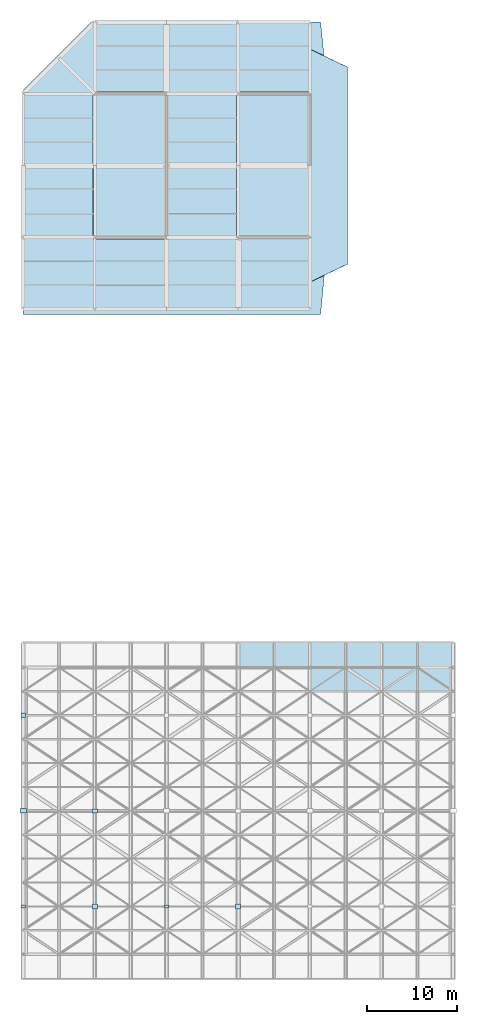
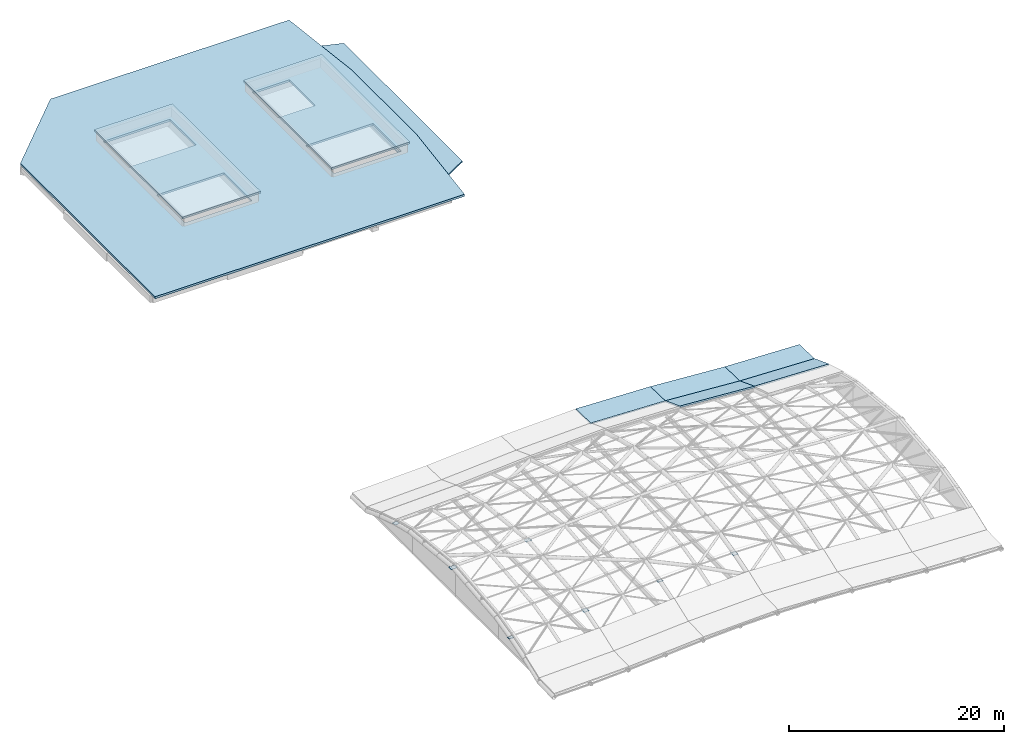
# One storey, part 19 of 20: 9 slabs, 7 plates.
"""IFC4 building model written with IfcOpenShell, lengths in metres."""

from ifc_helpers import new_model, si_unit, direction, frame, origin, origin_2d, place, context, subcontext, project, spatial, polyline, rectangle, outline, extrude, material, layer, layer_set, type_object, element, save


model = new_model("IFC4")

# Units and contexts
model_context = context("Model", 3, precision=1e-05, world=origin(), true_north=direction((0.0, 1.0)))
body_context = subcontext(model_context, "Body", "Model", "MODEL_VIEW")
ifc_project = project(units=[si_unit("LENGTHUNIT", "METRE"), si_unit("AREAUNIT", "SQUARE_METRE"), si_unit("VOLUMEUNIT", "CUBIC_METRE"), si_unit("PLANEANGLEUNIT", "RADIAN"), si_unit("MASSUNIT", "GRAM", prefix="KILO")], contexts=[model_context])

# Site, building, storey
site_placement = place(None, origin())
site = spatial("IfcSite", under=ifc_project, at=site_placement, CompositionType="ELEMENT")
building_placement = place(site_placement, origin())
building = spatial("IfcBuilding", under=site, at=building_placement, Name="Tenunan Teduh Sports Hall", CompositionType="ELEMENT")
storey_placement = place(building_placement, frame((0.0, 0.0, 23.39990234375)))
storey = spatial("IfcBuildingStorey", under=building, at=storey_placement, Name="RF", CompositionType="ELEMENT", Elevation=23.39990234375)

# Plates
ifc_material_1 = material(Name="Steel S355", Category="steel")
ifc_layer_1 = layer(ifc_material_1, 0.02001953125)
ifc_layer_set_1 = layer_set([ifc_layer_1], Name="Steel S355")
plate_type_1 = type_object("IfcPlateType", Name="PLT-GUS-1", PredefinedType="SHEET", material=ifc_layer_set_1)
plate_1_placement = place(storey_placement, frame((6.0, 40.666748046875, 1.442138671875), z_axis=(0.0, 0.0, 1.0), x_axis=(1.0, 0.0, 0.0)))
element("IfcPlate", 1, at=plate_1_placement, inside=storey, type_object=plate_type_1, Name="PLT-RF-024", PredefinedType="SHEET", context=body_context, shape_type="SweptSolid", body=[
    extrude(rectangle(XDim=0.47998046875, YDim=0.47998046875, at=origin_2d()), origin(), (0.0, 0.0, 1.0), 0.02001953125),
])
ifc_material_2 = material(Name="Steel S355", Category="steel")
ifc_layer_2 = layer(ifc_material_2, 0.02392578125)
ifc_layer_set_2 = layer_set([ifc_layer_2], Name="Steel S355")
plate_type_2 = type_object("IfcPlateType", Name="PLT-GUS-2", PredefinedType="SHEET", material=ifc_layer_set_2)
for number, where, z_axis, x_axis, name in (
    (2, (14.0, 19.333251953125, 1.713623046875), (0.0, 0.0, 1.0), (1.0, 0.0, 0.0), "PLT-RF-025"),
    (3, (30.0, 19.333251953125, 2.541748046875), (0.0, 0.0, 1.0), (1.0, 0.0, 0.0), "PLT-RF-031"),
):
    element("IfcPlate", number, at=place(storey_placement, frame(where, z_axis=z_axis, x_axis=x_axis)), inside=storey, type_object=plate_type_2, Name=name, PredefinedType="SHEET", context=body_context, shape_type="SweptSolid", body=[
        extrude(rectangle(XDim=0.56005859375, YDim=0.56005859375, at=origin_2d()), origin(), (0.0, 0.0, 1.0), 0.02392578125),
    ])
ifc_material_3 = material(Name="Steel S355", Category="steel")
ifc_layer_3 = layer(ifc_material_3, 0.02197265625)
ifc_layer_set_3 = layer_set([ifc_layer_3], Name="Steel S355")
plate_type_3 = type_object("IfcPlateType", Name="PLT-GUS-3", PredefinedType="SHEET", material=ifc_layer_set_3)
plate_2_placement = place(storey_placement, frame((14.0, 30.0, 3.183349609375), z_axis=(0.0, 0.0, 1.0), x_axis=(1.0, 0.0, 0.0)))
element("IfcPlate", 4, at=plate_2_placement, inside=storey, type_object=plate_type_3, Name="PLT-RF-026", PredefinedType="SHEET", context=body_context, shape_type="SweptSolid", body=[
    extrude(rectangle(XDim=0.639892578125, YDim=0.43994140625, at=origin_2d()), origin(), (0.0, 0.0, 1.0), 0.02197265625),
])
ifc_material_4 = material(Name="Steel S355", Category="steel")
ifc_layer_4 = layer(ifc_material_4, 0.01806640625)
ifc_layer_set_4 = layer_set([ifc_layer_4], Name="Steel S355")
plate_type_4 = type_object("IfcPlateType", Name="PLT-GUS-5", PredefinedType="SHEET", material=ifc_layer_set_4)
for number, where, z_axis, x_axis, name in (
    (5, (6.0, 19.333251953125, 1.443115234375), (0.0, 0.0, 1.0), (1.0, 0.0, 0.0), "PLT-RF-022"),
    (6, (22.0, 19.333251953125, 2.267333984375), (0.0, 0.0, 1.0), (1.0, 0.0, 0.0), "PLT-RF-028"),
):
    element("IfcPlate", number, at=place(storey_placement, frame(where, z_axis=z_axis, x_axis=x_axis)), inside=storey, type_object=plate_type_4, Name=name, PredefinedType="SHEET", context=body_context, shape_type="SweptSolid", body=[
        extrude(rectangle(XDim=0.52001953125, YDim=0.360107421875, at=origin_2d()), origin(), (0.0, 0.0, 1.0), 0.01806640625),
    ])
ifc_material_5 = material(Name="Steel S355", Category="steel")
ifc_layer_5 = layer(ifc_material_5, 0.028076171875)
ifc_layer_set_5 = layer_set([ifc_layer_5], Name="Steel S355")
plate_type_5 = type_object("IfcPlateType", Name="PLT-GUS-6", PredefinedType="SHEET", material=ifc_layer_set_5)
plate_3_placement = place(storey_placement, frame((6.0, 30.0, 2.90673828125), z_axis=(0.0, 0.0, 1.0), x_axis=(1.0, 0.0, 0.0)))
element("IfcPlate", 7, at=plate_3_placement, inside=storey, type_object=plate_type_5, Name="PLT-RF-023", PredefinedType="SHEET", context=body_context, shape_type="SweptSolid", body=[
    extrude(rectangle(XDim=0.699951171875, YDim=0.5, at=origin_2d()), origin(), (0.0, 0.0, 1.0), 0.028076171875),
])

# Slabs
ifc_material_6 = material(Name="Concrete C40/50", Category="concrete")
ifc_layer_6 = layer(ifc_material_6, 0.14501953125)
ifc_layer_set_6 = layer_set([ifc_layer_6], Name="Concrete C40/50")
slab_type_1 = type_object("IfcSlabType", Name="SLB-ROOF-145", PredefinedType="ROOF", material=ifc_layer_set_6)
slab_1_placement = place(storey_placement, frame((38.0, 89.0, -1.0498046875), z_axis=(-0.094787245934, 0.0, 0.99549755299), x_axis=(0.899540783476, 0.428357734014, 0.085650630898)))
element("IfcSlab", 8, at=slab_1_placement, inside=storey, type_object=slab_type_1, Name="Oval Running Track Timing Canopy", PredefinedType="ROOF", context=body_context, shape_type="SweptSolid", body=[
    extrude(outline(polyline([(0.0, 0.0), (4.668994723778441, 3.8163916471489756e-17), (14.092864872081469, 19.879403195969516), (11.137301084358125, 23.493840140691248), (0.0, 0.0)])), origin(), (0.0, 0.0, -1.0), 0.14501953125),
])
slab_2_placement = place(storey_placement, frame((30.0, 46.0, 1.172119140625), z_axis=(0.03458805788, 0.027830238076, 0.999014086037), x_axis=(0.999401189778, 4.23983e-07, -0.034601472071)))
element("IfcSlab", 9, at=slab_2_placement, inside=storey, type_object=slab_type_1, Name="Doubly-Curved Gridshell Roof Facet V2-4-10", PredefinedType="ROOF", context=body_context, shape_type="SweptSolid", body=[
    extrude(outline(polyline([(0.0, 0.0), (8.004797572621309, 0.0), (8.007493552174395, 2.8011304119879226), (0.00270442717810534, 2.801137202407449), (0.0, 0.0)])), origin(), (0.0, 0.0, -1.0), 0.14501953125),
])
slab_3_placement = place(storey_placement, frame((38.0, 46.0, 0.89501953125), z_axis=(0.068688260888, 0.028085222324, 0.997242770394), x_axis=(0.997636305652, 0.0, -0.068715366878)))
element("IfcSlab", 10, at=slab_3_placement, inside=storey, type_object=slab_type_1, Name="Doubly-Curved Gridshell Roof Facet V2-5-10", PredefinedType="ROOF", context=body_context, shape_type="SweptSolid", body=[
    extrude(outline(polyline([(0.0, 0.0), (8.018954357091294, 1.734723475976807e-18), (8.024373073766483, 2.8011537927037407), (0.005418716675189277, 2.8011537927037407), (0.0, 0.0)])), origin(), (0.0, 0.0, -1.0), 0.14501953125),
])
slab_4_placement = place(storey_placement, frame((46.0, 46.0, 0.343994140625), z_axis=(0.034207454097, 0.027787083186, 0.999028392035), x_axis=(0.999414301422, 0.0, -0.034220667914)))
element("IfcSlab", 11, at=slab_4_placement, inside=storey, type_object=slab_type_1, Name="Doubly-Curved Gridshell Roof Facet V2-6-10", PredefinedType="ROOF", context=body_context, shape_type="SweptSolid", body=[
    extrude(outline(polyline([(0.0, 0.0), (8.004688334572023, 8.673617379884035e-19), (8.007353469597529, 2.80113044415937), (0.002665135025504885, 2.80113044415937), (0.0, 0.0)])), origin(), (0.0, 0.0, -1.0), 0.14501953125),
])
ifc_material_7 = material(Name="Concrete C40/50", Category="concrete")
ifc_layer_7 = layer(ifc_material_7, 0.159912109375)
ifc_layer_set_7 = layer_set([ifc_layer_7], Name="Concrete C40/50")
slab_type_2 = type_object("IfcSlabType", Name="SLB-ROOF-160", PredefinedType="ROOF", material=ifc_layer_set_7)
slab_5_placement = place(storey_placement, frame((38.0, 43.3330078125, 1.918212890625), z_axis=(0.064296092415, 0.352830521692, 0.933475567684), x_axis=(0.997636305652, 0.0, -0.068715366878)))
element("IfcSlab", 12, at=slab_5_placement, inside=storey, type_object=slab_type_2, Name="Doubly-Curved Gridshell Roof Facet V2-5-9", PredefinedType="ROOF", context=body_context, shape_type="SweptSolid", body=[
    extrude(outline(polyline([(0.0, 0.0), (8.018954357091294, 0.0), (8.088223338985586, 2.8503030237224825), (0.06926898189429265, 2.8503030237224825), (0.0, 0.0)])), origin(), (0.0, 0.0, -1.0), 0.159912109375),
])
slab_6_placement = place(storey_placement, frame((46.0, 43.3330078125, 1.3671875), z_axis=(0.031913457416, 0.353344553152, 0.934948746186), x_axis=(0.9994178817, 5.037942e-06, -0.034115945145)))
element("IfcSlab", 13, at=slab_6_placement, inside=storey, type_object=slab_type_2, Name="Doubly-Curved Gridshell Roof Facet V2-6-9", PredefinedType="ROOF", context=body_context, shape_type="SweptSolid", body=[
    extrude(outline(polyline([(0.0, 0.0), (8.004663303261484, 4.163336342344337e-17), (8.039059215380421, 2.850850797840226), (0.03440424120710641, 2.8509370133441427), (0.0, 0.0)])), origin(), (0.0, 0.0, -1.0), 0.159912109375),
])
ifc_material_8 = material(Name="Concrete C40/50", Category="concrete")
ifc_layer_8 = layer(ifc_material_8, 0.22998046875)
ifc_layer_set_8 = layer_set([ifc_layer_8], Name="Concrete C40/50")
slab_type_3 = type_object("IfcSlabType", Name="SLB-ROOF-230", PredefinedType="ROOF", material=ifc_layer_set_8)
slab_7_placement = place(storey_placement, frame((0.0, 0.0, -0.22998046875)))
element("IfcSlab", 14, at=slab_7_placement, inside=storey, type_object=slab_type_3, Name="SL-RF-PAV", PredefinedType="ROOF", context=body_context, shape_type="SweptSolid", body=[
    extrude(outline(polyline([(6.0, 85.39990234375), (39.199951171875, 85.39990234375), (40.199951171875, 96.0), (40.199951171875, 108.0), (39.199951171875, 118.0), (13.60009765625, 118.0), (6.0, 110.39990234375), (6.0, 85.39990234375)]), holes=[polyline([(14.39990234375, 94.39990234375), (21.60009765625, 94.39990234375), (21.60009765625, 99.60009765625), (14.39990234375, 99.60009765625), (14.39990234375, 94.39990234375)]), polyline([(14.39990234375, 104.800048828125), (21.60009765625, 104.800048828125), (21.60009765625, 109.60009765625), (14.39990234375, 109.60009765625), (14.39990234375, 104.800048828125)]), polyline([(30.39990234375, 94.39990234375), (37.60009765625, 94.39990234375), (37.60009765625, 99.60009765625), (30.39990234375, 99.60009765625), (30.39990234375, 94.39990234375)]), polyline([(30.39990234375, 104.800048828125), (34.39990234375, 104.800048828125), (34.39990234375, 109.60009765625), (30.39990234375, 109.60009765625), (30.39990234375, 104.800048828125)])]), origin(), (0.0, 0.0, 1.0), 0.22998046875),
])
slab_8_placement = place(storey_placement, frame((0.0, 0.0, 0.97021484375)))
element("IfcSlab", 15, at=slab_8_placement, inside=storey, type_object=slab_type_3, Name="SL-RF-OVR-W1", PredefinedType="ROOF", context=body_context, shape_type="SweptSolid", body=[
    extrude(outline(polyline([(13.800048828125, 93.800048828125), (22.199951171875, 93.800048828125), (22.199951171875, 110.199951171875), (13.800048828125, 110.199951171875), (13.800048828125, 93.800048828125)])), origin(), (0.0, 0.0, 1.0), 0.22998046875),
])
slab_9_placement = place(storey_placement, frame((0.0, 0.0, 0.97021484375)))
element("IfcSlab", 16, at=slab_9_placement, inside=storey, type_object=slab_type_3, Name="SL-RF-OVR-W2", PredefinedType="ROOF", context=body_context, shape_type="SweptSolid", body=[
    extrude(outline(polyline([(29.800048828125, 93.800048828125), (38.199951171875, 93.800048828125), (38.199951171875, 110.199951171875), (29.800048828125, 110.199951171875), (29.800048828125, 93.800048828125)])), origin(), (0.0, 0.0, 1.0), 0.22998046875),
])

save(model, "model.ifc")
